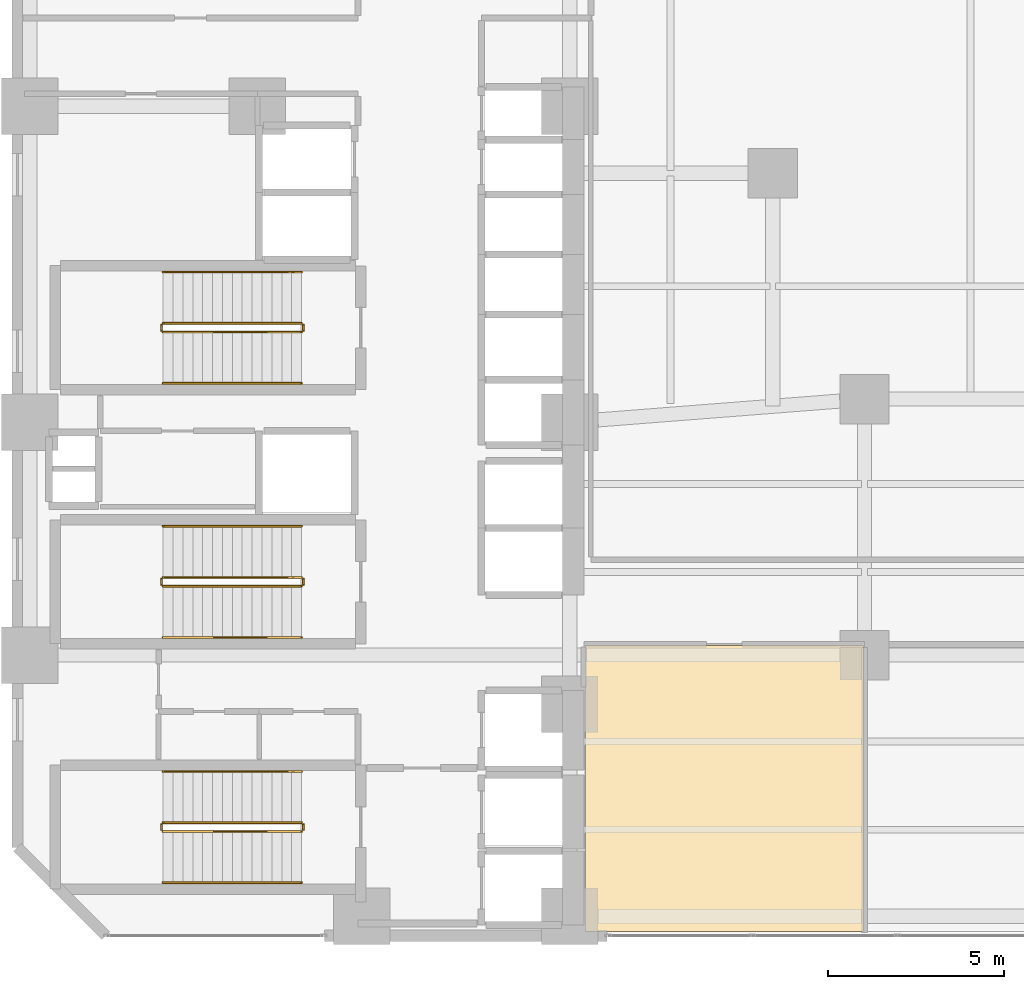
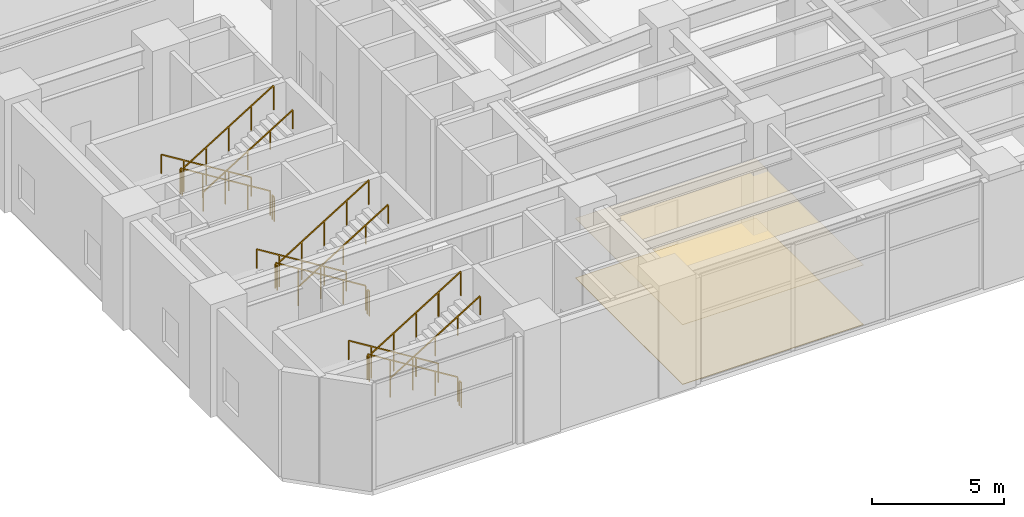
# One storey, part 25 of 29: 18 railings, 2 coverings.
"""IFC4 building model written with IfcOpenShell, lengths in metres."""

from ifc_helpers import new_model, si_unit, direction, frame, origin, origin_2d, place, context, subcontext, project, spatial, polyline, rectangle, outline, extrude, material, layer, layer_set, type_object, element, save


model = new_model("IFC4")

# Units and contexts
model_context = context("Model", 3, precision=1e-05, world=origin(), true_north=direction((0.0, 1.0)))
body_context = subcontext(model_context, "Body", "Model", "MODEL_VIEW")
ifc_project = project(units=[si_unit("LENGTHUNIT", "METRE"), si_unit("AREAUNIT", "SQUARE_METRE"), si_unit("VOLUMEUNIT", "CUBIC_METRE"), si_unit("PLANEANGLEUNIT", "RADIAN"), si_unit("MASSUNIT", "GRAM", prefix="KILO")], contexts=[model_context])

# Site, building, storey
site_placement = place(None, origin())
site = spatial("IfcSite", under=ifc_project, at=site_placement, CompositionType="ELEMENT")
building_placement = place(site_placement, origin())
building = spatial("IfcBuilding", under=site, at=building_placement, Name="Mawjaban Terraces University", CompositionType="ELEMENT")
storey_placement = place(building_placement, frame((0.0, 0.0, 15.60009765625)))
storey = spatial("IfcBuildingStorey", under=building, at=storey_placement, Name="L03", CompositionType="ELEMENT", Elevation=15.60009765625)

# Covering
ifc_material_1 = material(Name="Acoustic mineral fibre ceiling tile", Category="masonry")
ifc_layer_1 = layer(ifc_material_1, 0.02001953125)
ifc_layer_set_1 = layer_set([ifc_layer_1], Name="Acoustic mineral fibre ceiling tile")
covering_type_1 = type_object("IfcCoveringType", Name="AcousticMineralCeiling_20", PredefinedType="CEILING", material=ifc_layer_set_1)
covering_1_placement = place(storey_placement, frame((0.0, 0.0, 2.75)))
element("IfcCovering", 1, at=covering_1_placement, inside=storey, type_object=covering_type_1, Name="L03 Foundation Seminar Classroom Acoustic Ceiling", PredefinedType="CEILING", context=body_context, shape_type="SweptSolid", body=[
    extrude(outline(polyline([(38.080078125, 0.114990234375), (45.969970703125, 0.114990234375), (45.969970703125, 8.219970703125), (38.080078125, 8.219970703125), (38.080078125, 0.114990234375)])), origin(), (0.0, 0.0, 1.0), 0.02001953125),
])

# Railings
ifc_material_2 = material(Name="Brushed stainless steel 316", Category="steel")
railing_type_1 = type_object("IfcRailingType", Name="StairWallHandrail_900", PredefinedType="HANDRAIL", material=ifc_material_2)
railing_1_placement = place(storey_placement, frame((30.050048828125, 4.64990234375, 0.17333984375)))
element("IfcRailing", 2, at=railing_1_placement, inside=storey, type_object=railing_type_1, Name="L03 ST-1 stair handrail 1", PredefinedType="HANDRAIL", context=body_context, shape_type="SweptSolid", body=[
    extrude(rectangle(XDim=0.048095703125, YDim=0.048095703125, at=origin_2d()), frame((0.0, 0.0, 0.8759765625), z_axis=(-0.850289973577, 0.0, 0.526314507528), x_axis=(0.0, -1.0, 0.0)), (0.0, 0.0, 1.0), 4.6103515625),
    extrude(rectangle(XDim=0.0419921875, YDim=0.0419921875, at=origin_2d()), origin(), (0.0, 0.0, 1.0), 0.851806640625),
    extrude(rectangle(XDim=0.0419921875, YDim=0.0419921875, at=origin_2d()), frame((-0.97998046875, 0.0, 0.606689453125)), (0.0, 0.0, 1.0), 0.851806640625),
    extrude(rectangle(XDim=0.0419921875, YDim=0.0419921875, at=origin_2d()), frame((-1.9599609375, 0.0, 1.21337890625)), (0.0, 0.0, 1.0), 0.851806640625),
    extrude(rectangle(XDim=0.0419921875, YDim=0.0419921875, at=origin_2d()), frame((-2.940185546875, 0.0, 1.81982421875)), (0.0, 0.0, 1.0), 0.851806640625),
    extrude(rectangle(XDim=0.0419921875, YDim=0.0419921875, at=origin_2d()), frame((-3.920166015625, 0.0, 2.426513671875)), (0.0, 0.0, 1.0), 0.851806640625),
])
railing_2_placement = place(storey_placement, frame((26.1298828125, 1.5, 2.773193359375)))
element("IfcRailing", 3, at=railing_2_placement, inside=storey, type_object=railing_type_1, Name="L03 ST-1 stair handrail 2", PredefinedType="HANDRAIL", context=body_context, shape_type="SweptSolid", body=[
    extrude(rectangle(XDim=0.048095703125, YDim=0.048095703125, at=origin_2d()), frame((0.0, 0.0, 0.8759765625), z_axis=(0.850266275192, 0.0, 0.526352791643), x_axis=(0.0, 1.0, 0.0)), (0.0, 0.0, 1.0), 4.610595703125),
    extrude(rectangle(XDim=0.0419921875, YDim=0.0419921875, at=origin_2d()), origin(), (0.0, 0.0, 1.0), 0.851806640625),
    extrude(rectangle(XDim=0.0419921875, YDim=0.0419921875, at=origin_2d()), frame((0.97998046875, 0.0, 0.606689453125)), (0.0, 0.0, 1.0), 0.851806640625),
    extrude(rectangle(XDim=0.0419921875, YDim=0.0419921875, at=origin_2d()), frame((1.9599609375, 0.0, 1.21337890625)), (0.0, 0.0, 1.0), 0.851806640625),
    extrude(rectangle(XDim=0.0419921875, YDim=0.0419921875, at=origin_2d()), frame((2.940185546875, 0.0, 1.820068359375)), (0.0, 0.0, 1.0), 0.851806640625),
    extrude(rectangle(XDim=0.0419921875, YDim=0.0419921875, at=origin_2d()), frame((3.920166015625, 0.0, 2.4267578125)), (0.0, 0.0, 1.0), 0.851806640625),
])
railing_3_placement = place(storey_placement, frame((30.050048828125, 18.800048828125, 0.17333984375)))
element("IfcRailing", 4, at=railing_3_placement, inside=storey, type_object=railing_type_1, Name="L03 ST-2 stair handrail 1", PredefinedType="HANDRAIL", context=body_context, shape_type="SweptSolid", body=[
    extrude(rectangle(XDim=0.048095703125, YDim=0.048095703125, at=origin_2d()), frame((0.0, 0.0, 0.8759765625), z_axis=(-0.850289973577, 0.0, 0.526314507528), x_axis=(0.0, -1.0, 0.0)), (0.0, 0.0, 1.0), 4.6103515625),
    extrude(rectangle(XDim=0.0419921875, YDim=0.0419921875, at=origin_2d()), origin(), (0.0, 0.0, 1.0), 0.851806640625),
    extrude(rectangle(XDim=0.0419921875, YDim=0.0419921875, at=origin_2d()), frame((-0.97998046875, 0.0, 0.606689453125)), (0.0, 0.0, 1.0), 0.851806640625),
    extrude(rectangle(XDim=0.0419921875, YDim=0.0419921875, at=origin_2d()), frame((-1.9599609375, 0.0, 1.21337890625)), (0.0, 0.0, 1.0), 0.851806640625),
    extrude(rectangle(XDim=0.0419921875, YDim=0.0419921875, at=origin_2d()), frame((-2.940185546875, 0.0, 1.81982421875)), (0.0, 0.0, 1.0), 0.851806640625),
    extrude(rectangle(XDim=0.0419921875, YDim=0.0419921875, at=origin_2d()), frame((-3.920166015625, 0.0, 2.426513671875)), (0.0, 0.0, 1.0), 0.851806640625),
])
railing_4_placement = place(storey_placement, frame((26.1298828125, 15.64990234375, 2.773193359375)))
element("IfcRailing", 5, at=railing_4_placement, inside=storey, type_object=railing_type_1, Name="L03 ST-2 stair handrail 2", PredefinedType="HANDRAIL", context=body_context, shape_type="SweptSolid", body=[
    extrude(rectangle(XDim=0.048095703125, YDim=0.048095703125, at=origin_2d()), frame((0.0, 0.0, 0.8759765625), z_axis=(0.850266275192, 0.0, 0.526352791643), x_axis=(0.0, 1.0, 0.0)), (0.0, 0.0, 1.0), 4.610595703125),
    extrude(rectangle(XDim=0.0419921875, YDim=0.0419921875, at=origin_2d()), origin(), (0.0, 0.0, 1.0), 0.851806640625),
    extrude(rectangle(XDim=0.0419921875, YDim=0.0419921875, at=origin_2d()), frame((0.97998046875, 0.0, 0.606689453125)), (0.0, 0.0, 1.0), 0.851806640625),
    extrude(rectangle(XDim=0.0419921875, YDim=0.0419921875, at=origin_2d()), frame((1.9599609375, 0.0, 1.21337890625)), (0.0, 0.0, 1.0), 0.851806640625),
    extrude(rectangle(XDim=0.0419921875, YDim=0.0419921875, at=origin_2d()), frame((2.940185546875, 0.0, 1.820068359375)), (0.0, 0.0, 1.0), 0.851806640625),
    extrude(rectangle(XDim=0.0419921875, YDim=0.0419921875, at=origin_2d()), frame((3.920166015625, 0.0, 2.4267578125)), (0.0, 0.0, 1.0), 0.851806640625),
])
railing_5_placement = place(storey_placement, frame((30.050048828125, 11.60009765625, 0.17333984375)))
element("IfcRailing", 6, at=railing_5_placement, inside=storey, type_object=railing_type_1, Name="L03 ST-3 stair handrail 1", PredefinedType="HANDRAIL", context=body_context, shape_type="SweptSolid", body=[
    extrude(rectangle(XDim=0.048095703125, YDim=0.048095703125, at=origin_2d()), frame((0.0, 0.0, 0.8759765625), z_axis=(-0.850289973577, 0.0, 0.526314507528), x_axis=(0.0, -1.0, 0.0)), (0.0, 0.0, 1.0), 4.6103515625),
    extrude(rectangle(XDim=0.0419921875, YDim=0.0419921875, at=origin_2d()), origin(), (0.0, 0.0, 1.0), 0.851806640625),
    extrude(rectangle(XDim=0.0419921875, YDim=0.0419921875, at=origin_2d()), frame((-0.97998046875, 0.0, 0.606689453125)), (0.0, 0.0, 1.0), 0.851806640625),
    extrude(rectangle(XDim=0.0419921875, YDim=0.0419921875, at=origin_2d()), frame((-1.9599609375, 0.0, 1.21337890625)), (0.0, 0.0, 1.0), 0.851806640625),
    extrude(rectangle(XDim=0.0419921875, YDim=0.0419921875, at=origin_2d()), frame((-2.940185546875, 0.0, 1.81982421875)), (0.0, 0.0, 1.0), 0.851806640625),
    extrude(rectangle(XDim=0.0419921875, YDim=0.0419921875, at=origin_2d()), frame((-3.920166015625, 0.0, 2.426513671875)), (0.0, 0.0, 1.0), 0.851806640625),
])
railing_6_placement = place(storey_placement, frame((26.1298828125, 8.449951171875, 2.773193359375)))
element("IfcRailing", 7, at=railing_6_placement, inside=storey, type_object=railing_type_1, Name="L03 ST-3 stair handrail 2", PredefinedType="HANDRAIL", context=body_context, shape_type="SweptSolid", body=[
    extrude(rectangle(XDim=0.048095703125, YDim=0.048095703125, at=origin_2d()), frame((0.0, 0.0, 0.8759765625), z_axis=(0.850266275192, 0.0, 0.526352791643), x_axis=(0.0, 1.0, 0.0)), (0.0, 0.0, 1.0), 4.610595703125),
    extrude(rectangle(XDim=0.0419921875, YDim=0.0419921875, at=origin_2d()), origin(), (0.0, 0.0, 1.0), 0.851806640625),
    extrude(rectangle(XDim=0.0419921875, YDim=0.0419921875, at=origin_2d()), frame((0.97998046875, 0.0, 0.606689453125)), (0.0, 0.0, 1.0), 0.851806640625),
    extrude(rectangle(XDim=0.0419921875, YDim=0.0419921875, at=origin_2d()), frame((1.9599609375, 0.0, 1.21337890625)), (0.0, 0.0, 1.0), 0.851806640625),
    extrude(rectangle(XDim=0.0419921875, YDim=0.0419921875, at=origin_2d()), frame((2.940185546875, 0.0, 1.820068359375)), (0.0, 0.0, 1.0), 0.851806640625),
    extrude(rectangle(XDim=0.0419921875, YDim=0.0419921875, at=origin_2d()), frame((3.920166015625, 0.0, 2.4267578125)), (0.0, 0.0, 1.0), 0.851806640625),
])
ifc_material_3 = material(Name="Galvanised painted steel S355", Category="steel")
railing_type_2 = type_object("IfcRailingType", Name="StairWellGuard_1150", PredefinedType="BALUSTRADE", material=ifc_material_3)
railing_7_placement = place(storey_placement, frame((30.050048828125, 3.199951171875, 0.17333984375)))
element("IfcRailing", 8, at=railing_7_placement, inside=storey, type_object=railing_type_2, Name="L03 ST-1 stair guard 1", PredefinedType="BALUSTRADE", context=body_context, shape_type="SweptSolid", body=[
    extrude(rectangle(XDim=0.048095703125, YDim=0.048095703125, at=origin_2d()), frame((0.0, 0.0, 1.1259765625), z_axis=(-0.850289973577, 0.0, 0.526314507528), x_axis=(0.0, -1.0, 0.0)), (0.0, 0.0, 1.0), 4.6103515625),
    extrude(rectangle(XDim=0.0419921875, YDim=0.0419921875, at=origin_2d()), origin(), (0.0, 0.0, 1.0), 1.101806640625),
    extrude(rectangle(XDim=0.0419921875, YDim=0.0419921875, at=origin_2d()), frame((-0.97998046875, 0.0, 0.606689453125)), (0.0, 0.0, 1.0), 1.101806640625),
    extrude(rectangle(XDim=0.0419921875, YDim=0.0419921875, at=origin_2d()), frame((-1.9599609375, 0.0, 1.21337890625)), (0.0, 0.0, 1.0), 1.101806640625),
    extrude(rectangle(XDim=0.0419921875, YDim=0.0419921875, at=origin_2d()), frame((-2.940185546875, 0.0, 1.81982421875)), (0.0, 0.0, 1.0), 1.101806640625),
    extrude(rectangle(XDim=0.0419921875, YDim=0.0419921875, at=origin_2d()), frame((-3.920166015625, 0.0, 2.426513671875)), (0.0, 0.0, 1.0), 1.101806640625),
])
railing_8_placement = place(storey_placement, frame((26.080078125, 3.14990234375, 2.599853515625)))
element("IfcRailing", 9, at=railing_8_placement, inside=storey, type_object=railing_type_2, Name="L03 ST-1 stair guard 2", PredefinedType="BALUSTRADE", context=body_context, shape_type="SweptSolid", body=[
    extrude(rectangle(XDim=0.048095703125, YDim=0.048095703125, at=origin_2d()), frame((0.0, 0.0, 1.1259765625), z_axis=(0.0, -1.0, 0.0), x_axis=(1.0, 0.0, 0.0)), (0.0, 0.0, 1.0), 0.14990234375),
    extrude(rectangle(XDim=0.0419921875, YDim=0.0419921875, at=origin_2d()), origin(), (0.0, 0.0, 1.0), 1.101806640625),
    extrude(rectangle(XDim=0.0419921875, YDim=0.0419921875, at=origin_2d()), frame((0.0, -0.14990234375, 0.0)), (0.0, 0.0, 1.0), 1.101806640625),
])
railing_9_placement = place(storey_placement, frame((26.1298828125, 2.949951171875, 2.773193359375)))
element("IfcRailing", 10, at=railing_9_placement, inside=storey, type_object=railing_type_2, Name="L03 ST-1 stair guard 3", PredefinedType="BALUSTRADE", context=body_context, shape_type="SweptSolid", body=[
    extrude(rectangle(XDim=0.048095703125, YDim=0.048095703125, at=origin_2d()), frame((0.0, 0.0, 1.1259765625), z_axis=(0.850266275192, 0.0, 0.526352791643), x_axis=(0.0, 1.0, 0.0)), (0.0, 0.0, 1.0), 4.610595703125),
    extrude(rectangle(XDim=0.0419921875, YDim=0.0419921875, at=origin_2d()), origin(), (0.0, 0.0, 1.0), 1.101806640625),
    extrude(rectangle(XDim=0.0419921875, YDim=0.0419921875, at=origin_2d()), frame((0.97998046875, 0.0, 0.606689453125)), (0.0, 0.0, 1.0), 1.101806640625),
    extrude(rectangle(XDim=0.0419921875, YDim=0.0419921875, at=origin_2d()), frame((1.9599609375, 0.0, 1.21337890625)), (0.0, 0.0, 1.0), 1.101806640625),
    extrude(rectangle(XDim=0.0419921875, YDim=0.0419921875, at=origin_2d()), frame((2.940185546875, 0.0, 1.820068359375)), (0.0, 0.0, 1.0), 1.101806640625),
    extrude(rectangle(XDim=0.0419921875, YDim=0.0419921875, at=origin_2d()), frame((3.920166015625, 0.0, 2.4267578125)), (0.0, 0.0, 1.0), 1.101806640625),
])
railing_10_placement = place(storey_placement, frame((30.10009765625, 3.14990234375, 0.0)))
element("IfcRailing", 11, at=railing_10_placement, inside=storey, type_object=railing_type_2, Name="L03 ST-1 stair guard 4", PredefinedType="BALUSTRADE", context=body_context, shape_type="SweptSolid", body=[
    extrude(rectangle(XDim=0.048095703125, YDim=0.048095703125, at=origin_2d()), frame((0.0, 0.0, 1.1259765625), z_axis=(0.0, -1.0, 0.0), x_axis=(1.0, 0.0, 0.0)), (0.0, 0.0, 1.0), 0.14990234375),
    extrude(rectangle(XDim=0.0419921875, YDim=0.0419921875, at=origin_2d()), origin(), (0.0, 0.0, 1.0), 1.101806640625),
    extrude(rectangle(XDim=0.0419921875, YDim=0.0419921875, at=origin_2d()), frame((0.0, -0.14990234375, 0.0)), (0.0, 0.0, 1.0), 1.101806640625),
])
railing_11_placement = place(storey_placement, frame((30.050048828125, 17.35009765625, 0.17333984375)))
element("IfcRailing", 12, at=railing_11_placement, inside=storey, type_object=railing_type_2, Name="L03 ST-2 stair guard 1", PredefinedType="BALUSTRADE", context=body_context, shape_type="SweptSolid", body=[
    extrude(rectangle(XDim=0.048095703125, YDim=0.048095703125, at=origin_2d()), frame((0.0, 0.0, 1.1259765625), z_axis=(-0.850289973577, 0.0, 0.526314507528), x_axis=(0.0, -1.0, 0.0)), (0.0, 0.0, 1.0), 4.6103515625),
    extrude(rectangle(XDim=0.0419921875, YDim=0.0419921875, at=origin_2d()), origin(), (0.0, 0.0, 1.0), 1.101806640625),
    extrude(rectangle(XDim=0.0419921875, YDim=0.0419921875, at=origin_2d()), frame((-0.97998046875, 0.0, 0.606689453125)), (0.0, 0.0, 1.0), 1.101806640625),
    extrude(rectangle(XDim=0.0419921875, YDim=0.0419921875, at=origin_2d()), frame((-1.9599609375, 0.0, 1.21337890625)), (0.0, 0.0, 1.0), 1.101806640625),
    extrude(rectangle(XDim=0.0419921875, YDim=0.0419921875, at=origin_2d()), frame((-2.940185546875, 0.0, 1.81982421875)), (0.0, 0.0, 1.0), 1.101806640625),
    extrude(rectangle(XDim=0.0419921875, YDim=0.0419921875, at=origin_2d()), frame((-3.920166015625, 0.0, 2.426513671875)), (0.0, 0.0, 1.0), 1.101806640625),
])
railing_12_placement = place(storey_placement, frame((26.080078125, 17.300048828125, 2.599853515625)))
element("IfcRailing", 13, at=railing_12_placement, inside=storey, type_object=railing_type_2, Name="L03 ST-2 stair guard 2", PredefinedType="BALUSTRADE", context=body_context, shape_type="SweptSolid", body=[
    extrude(rectangle(XDim=0.048095703125, YDim=0.048095703125, at=origin_2d()), frame((0.0, 0.0, 1.1259765625), z_axis=(0.0, -1.0, 0.0), x_axis=(1.0, 0.0, 0.0)), (0.0, 0.0, 1.0), 0.150146484375),
    extrude(rectangle(XDim=0.0419921875, YDim=0.0419921875, at=origin_2d()), origin(), (0.0, 0.0, 1.0), 1.101806640625),
    extrude(rectangle(XDim=0.0419921875, YDim=0.0419921875, at=origin_2d()), frame((0.0, -0.150146484375, 0.0)), (0.0, 0.0, 1.0), 1.101806640625),
])
railing_13_placement = place(storey_placement, frame((26.1298828125, 17.10009765625, 2.773193359375)))
element("IfcRailing", 14, at=railing_13_placement, inside=storey, type_object=railing_type_2, Name="L03 ST-2 stair guard 3", PredefinedType="BALUSTRADE", context=body_context, shape_type="SweptSolid", body=[
    extrude(rectangle(XDim=0.048095703125, YDim=0.048095703125, at=origin_2d()), frame((0.0, 0.0, 1.1259765625), z_axis=(0.850266275192, 0.0, 0.526352791643), x_axis=(0.0, 1.0, 0.0)), (0.0, 0.0, 1.0), 4.610595703125),
    extrude(rectangle(XDim=0.0419921875, YDim=0.0419921875, at=origin_2d()), origin(), (0.0, 0.0, 1.0), 1.101806640625),
    extrude(rectangle(XDim=0.0419921875, YDim=0.0419921875, at=origin_2d()), frame((0.97998046875, 0.0, 0.606689453125)), (0.0, 0.0, 1.0), 1.101806640625),
    extrude(rectangle(XDim=0.0419921875, YDim=0.0419921875, at=origin_2d()), frame((1.9599609375, 0.0, 1.21337890625)), (0.0, 0.0, 1.0), 1.101806640625),
    extrude(rectangle(XDim=0.0419921875, YDim=0.0419921875, at=origin_2d()), frame((2.940185546875, 0.0, 1.820068359375)), (0.0, 0.0, 1.0), 1.101806640625),
    extrude(rectangle(XDim=0.0419921875, YDim=0.0419921875, at=origin_2d()), frame((3.920166015625, 0.0, 2.4267578125)), (0.0, 0.0, 1.0), 1.101806640625),
])
railing_14_placement = place(storey_placement, frame((30.10009765625, 17.300048828125, 0.0)))
element("IfcRailing", 15, at=railing_14_placement, inside=storey, type_object=railing_type_2, Name="L03 ST-2 stair guard 4", PredefinedType="BALUSTRADE", context=body_context, shape_type="SweptSolid", body=[
    extrude(rectangle(XDim=0.048095703125, YDim=0.048095703125, at=origin_2d()), frame((0.0, 0.0, 1.1259765625), z_axis=(0.0, -1.0, 0.0), x_axis=(1.0, 0.0, 0.0)), (0.0, 0.0, 1.0), 0.150146484375),
    extrude(rectangle(XDim=0.0419921875, YDim=0.0419921875, at=origin_2d()), origin(), (0.0, 0.0, 1.0), 1.101806640625),
    extrude(rectangle(XDim=0.0419921875, YDim=0.0419921875, at=origin_2d()), frame((0.0, -0.150146484375, 0.0)), (0.0, 0.0, 1.0), 1.101806640625),
])
railing_15_placement = place(storey_placement, frame((30.050048828125, 10.14990234375, 0.17333984375)))
element("IfcRailing", 16, at=railing_15_placement, inside=storey, type_object=railing_type_2, Name="L03 ST-3 stair guard 1", PredefinedType="BALUSTRADE", context=body_context, shape_type="SweptSolid", body=[
    extrude(rectangle(XDim=0.048095703125, YDim=0.048095703125, at=origin_2d()), frame((0.0, 0.0, 1.1259765625), z_axis=(-0.850289973577, 0.0, 0.526314507528), x_axis=(0.0, -1.0, 0.0)), (0.0, 0.0, 1.0), 4.6103515625),
    extrude(rectangle(XDim=0.0419921875, YDim=0.0419921875, at=origin_2d()), origin(), (0.0, 0.0, 1.0), 1.101806640625),
    extrude(rectangle(XDim=0.0419921875, YDim=0.0419921875, at=origin_2d()), frame((-0.97998046875, 0.0, 0.606689453125)), (0.0, 0.0, 1.0), 1.101806640625),
    extrude(rectangle(XDim=0.0419921875, YDim=0.0419921875, at=origin_2d()), frame((-1.9599609375, 0.0, 1.21337890625)), (0.0, 0.0, 1.0), 1.101806640625),
    extrude(rectangle(XDim=0.0419921875, YDim=0.0419921875, at=origin_2d()), frame((-2.940185546875, 0.0, 1.81982421875)), (0.0, 0.0, 1.0), 1.101806640625),
    extrude(rectangle(XDim=0.0419921875, YDim=0.0419921875, at=origin_2d()), frame((-3.920166015625, 0.0, 2.426513671875)), (0.0, 0.0, 1.0), 1.101806640625),
])
railing_16_placement = place(storey_placement, frame((26.080078125, 10.10009765625, 2.599853515625)))
element("IfcRailing", 17, at=railing_16_placement, inside=storey, type_object=railing_type_2, Name="L03 ST-3 stair guard 2", PredefinedType="BALUSTRADE", context=body_context, shape_type="SweptSolid", body=[
    extrude(rectangle(XDim=0.048095703125, YDim=0.048095703125, at=origin_2d()), frame((0.0, 0.0, 1.1259765625), z_axis=(0.0, -1.0, 0.0), x_axis=(1.0, 0.0, 0.0)), (0.0, 0.0, 1.0), 0.150146484375),
    extrude(rectangle(XDim=0.0419921875, YDim=0.0419921875, at=origin_2d()), origin(), (0.0, 0.0, 1.0), 1.101806640625),
    extrude(rectangle(XDim=0.0419921875, YDim=0.0419921875, at=origin_2d()), frame((0.0, -0.150146484375, 0.0)), (0.0, 0.0, 1.0), 1.101806640625),
])
railing_17_placement = place(storey_placement, frame((26.1298828125, 9.89990234375, 2.773193359375)))
element("IfcRailing", 18, at=railing_17_placement, inside=storey, type_object=railing_type_2, Name="L03 ST-3 stair guard 3", PredefinedType="BALUSTRADE", context=body_context, shape_type="SweptSolid", body=[
    extrude(rectangle(XDim=0.048095703125, YDim=0.048095703125, at=origin_2d()), frame((0.0, 0.0, 1.1259765625), z_axis=(0.850266275192, 0.0, 0.526352791643), x_axis=(0.0, 1.0, 0.0)), (0.0, 0.0, 1.0), 4.610595703125),
    extrude(rectangle(XDim=0.0419921875, YDim=0.0419921875, at=origin_2d()), origin(), (0.0, 0.0, 1.0), 1.101806640625),
    extrude(rectangle(XDim=0.0419921875, YDim=0.0419921875, at=origin_2d()), frame((0.97998046875, 0.0, 0.606689453125)), (0.0, 0.0, 1.0), 1.101806640625),
    extrude(rectangle(XDim=0.0419921875, YDim=0.0419921875, at=origin_2d()), frame((1.9599609375, 0.0, 1.21337890625)), (0.0, 0.0, 1.0), 1.101806640625),
    extrude(rectangle(XDim=0.0419921875, YDim=0.0419921875, at=origin_2d()), frame((2.940185546875, 0.0, 1.820068359375)), (0.0, 0.0, 1.0), 1.101806640625),
    extrude(rectangle(XDim=0.0419921875, YDim=0.0419921875, at=origin_2d()), frame((3.920166015625, 0.0, 2.4267578125)), (0.0, 0.0, 1.0), 1.101806640625),
])
railing_18_placement = place(storey_placement, frame((30.10009765625, 10.10009765625, 0.0)))
element("IfcRailing", 19, at=railing_18_placement, inside=storey, type_object=railing_type_2, Name="L03 ST-3 stair guard 4", PredefinedType="BALUSTRADE", context=body_context, shape_type="SweptSolid", body=[
    extrude(rectangle(XDim=0.048095703125, YDim=0.048095703125, at=origin_2d()), frame((0.0, 0.0, 1.1259765625), z_axis=(0.0, -1.0, 0.0), x_axis=(1.0, 0.0, 0.0)), (0.0, 0.0, 1.0), 0.150146484375),
    extrude(rectangle(XDim=0.0419921875, YDim=0.0419921875, at=origin_2d()), origin(), (0.0, 0.0, 1.0), 1.101806640625),
    extrude(rectangle(XDim=0.0419921875, YDim=0.0419921875, at=origin_2d()), frame((0.0, -0.150146484375, 0.0)), (0.0, 0.0, 1.0), 1.101806640625),
])

# Covering
ifc_material_4 = material(Name="Polished Hijazi granite terrazzo flooring", Category="masonry")
ifc_layer_2 = layer(ifc_material_4, 0.02490234375)
ifc_layer_set_2 = layer_set([ifc_layer_2], Name="Polished Hijazi granite terrazzo flooring")
covering_type_2 = type_object("IfcCoveringType", Name="TerrazzoConcourseFlooring_25", PredefinedType="FLOORING", material=ifc_layer_set_2)
covering_2_placement = place(storey_placement, origin())
element("IfcCovering", 20, at=covering_2_placement, inside=storey, type_object=covering_type_2, Name="L03 Foundation Seminar Classroom Terrazzo Flooring", PredefinedType="FLOORING", context=body_context, shape_type="SweptSolid", body=[
    extrude(outline(polyline([(38.080078125, 0.114990234375), (45.969970703125, 0.114990234375), (45.969970703125, 8.219970703125), (38.080078125, 8.219970703125), (38.080078125, 0.114990234375)])), origin(), (0.0, 0.0, 1.0), 0.02490234375),
])

save(model, "model.ifc")
